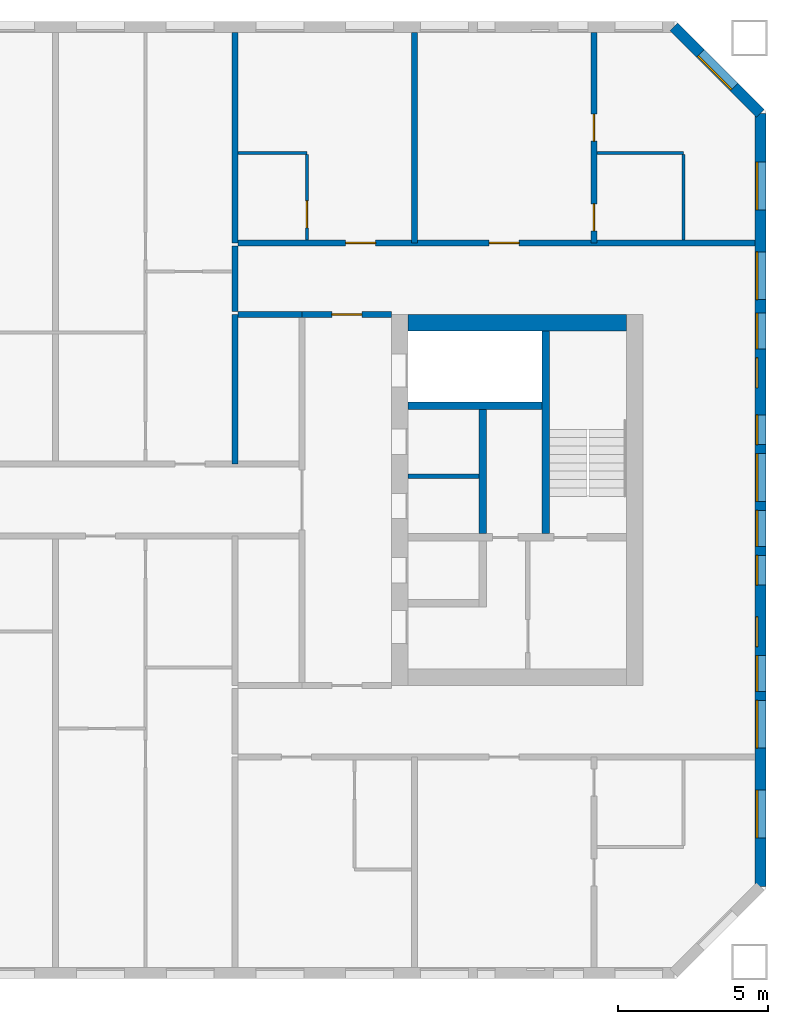
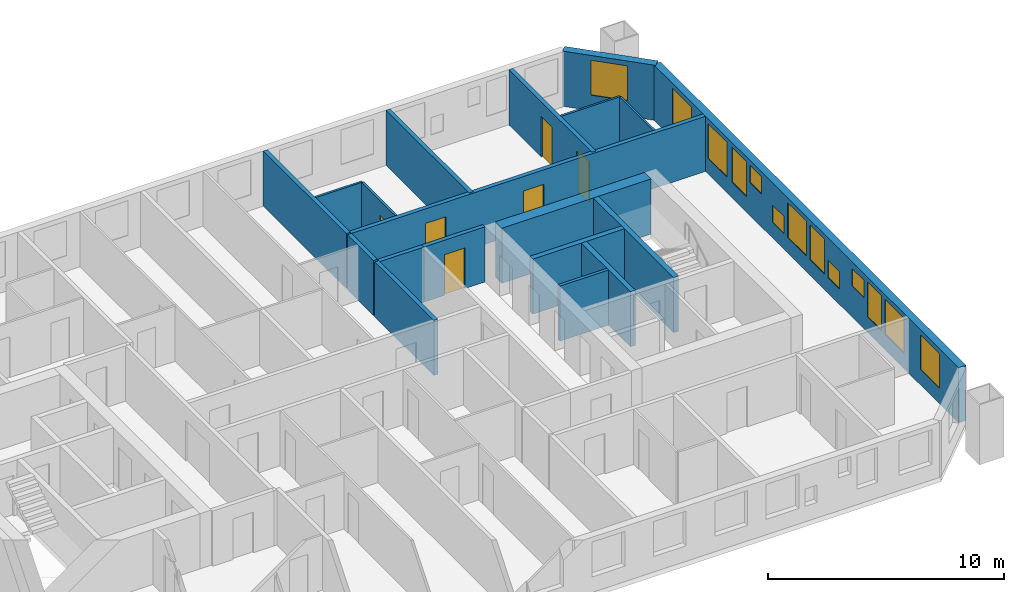
# One storey, part 14 of 17: 19 walls, 13 windows, 6 doors, 19 openings.
"""IFC4 building model written with IfcOpenShell, lengths in metres."""

from ifc_helpers import new_model, si_unit, direction, frame, frame_2d, origin, place, context, subcontext, project, spatial, rectangle, extrude, material, layer, layer_set, type_object, element, fill, save


model = new_model("IFC4")

# Units and contexts
model_context = context("Model", 3, precision=1e-05, world=origin(), true_north=direction((0.0, 1.0)))
body_context = subcontext(model_context, "Body", "Model", "MODEL_VIEW")
ifc_project = project(units=[si_unit("LENGTHUNIT", "METRE"), si_unit("AREAUNIT", "SQUARE_METRE"), si_unit("VOLUMEUNIT", "CUBIC_METRE"), si_unit("PLANEANGLEUNIT", "RADIAN"), si_unit("MASSUNIT", "GRAM", prefix="KILO")], contexts=[model_context])

# Site, building, storey
site_placement = place(None, origin())
site = spatial("IfcSite", under=ifc_project, at=site_placement, CompositionType="ELEMENT")
building_placement = place(site_placement, origin())
building = spatial("IfcBuilding", under=site, at=building_placement, Name="Tuart Gate Housing", CompositionType="ELEMENT")
storey_placement = place(building_placement, frame((0.0, 0.0, 126.800048828125)))
storey = spatial("IfcBuildingStorey", under=building, at=storey_placement, Name="L35", CompositionType="ELEMENT", Elevation=126.800048828125)

# Wall, openings, windows
ifc_material_1 = material(Name="Brick", Category="masonry")
ifc_layer_1 = layer(ifc_material_1, 0.360107421875)
ifc_layer_set_1 = layer_set([ifc_layer_1], Name="Brick pier and spandrel wall 360")
wall_type_1 = type_object("IfcWallType", Name="Brick pier and spandrel wall 360", PredefinedType="STANDARD", material=ifc_layer_set_1)
wall_1_placement = place(storey_placement, frame((172.570068359375, 57.07470703125, 0.0), z_axis=(0.0, 0.0, 1.0), x_axis=(0.0, 1.0, 0.0)))
wall_1 = element("IfcWall", 1, at=wall_1_placement, inside=storey, type_object=wall_type_1, Name="External wall B-E L35", PredefinedType="STANDARD", context=body_context, shape_type="SweptSolid", body=[
    extrude(rectangle(XDim=25.850830078125, YDim=0.360107421875, at=frame_2d((12.92529296875, 0.0))), origin(), (0.0, 0.0, 1.0), 2.849853515625),
])
opening_1_placement = place(wall_1_placement, frame((1.62548828125, 0.0, 0.800048828125)))
opening_1 = element("IfcOpeningElement", 2, at=opening_1_placement, cuts=wall_1, Name="Opening W1", PredefinedType="OPENING", context=body_context, shape_type="SweptSolid", body=[
    extrude(rectangle(XDim=1.60009765625, YDim=1.800048828125, at=frame_2d((0.800048828125, 0.89990234375))), frame((0.0, 0.18994140625, 0.0), z_axis=(0.0, -1.0, 0.0), x_axis=(1.0, 0.0, 0.0)), (0.0, 0.0, 1.0), 0.380126953125),
])
opening_2_placement = place(wall_1_placement, frame((4.62548828125, 0.0, 0.800048828125)))
opening_2 = element("IfcOpeningElement", 3, at=opening_2_placement, cuts=wall_1, Name="Opening W1", PredefinedType="OPENING", context=body_context, shape_type="SweptSolid", body=[
    extrude(rectangle(XDim=1.60009765625, YDim=1.800048828125, at=frame_2d((0.800048828125, 0.89990234375))), frame((0.0, 0.18994140625, 0.0), z_axis=(0.0, -1.0, 0.0), x_axis=(1.0, 0.0, 0.0)), (0.0, 0.0, 1.0), 0.380126953125),
])
opening_3_placement = place(wall_1_placement, frame((6.525390625, 0.0, 0.800048828125)))
opening_3 = element("IfcOpeningElement", 4, at=opening_3_placement, cuts=wall_1, Name="Opening W1B", PredefinedType="OPENING", context=body_context, shape_type="SweptSolid", body=[
    extrude(rectangle(XDim=1.199951171875, YDim=1.800048828125, at=frame_2d((0.60009765625, 0.89990234375))), frame((0.0, 0.18994140625, 0.0), z_axis=(0.0, -1.0, 0.0), x_axis=(1.0, 0.0, 0.0)), (0.0, 0.0, 1.0), 0.380126953125),
])
opening_4_placement = place(wall_1_placement, frame((8.025390625, 0.0, 1.60009765625)))
opening_4 = element("IfcOpeningElement", 5, at=opening_4_placement, cuts=wall_1, Name="Opening W1U", PredefinedType="OPENING", context=body_context, shape_type="SweptSolid", body=[
    extrude(rectangle(XDim=1.0, YDim=0.89990234375, at=frame_2d((0.5, 0.449951171875))), frame((0.0, 0.18994140625, 0.0), z_axis=(0.0, -1.0, 0.0), x_axis=(1.0, 0.0, 0.0)), (0.0, 0.0, 1.0), 0.380126953125),
])
opening_5_placement = place(wall_1_placement, frame((10.075439453125, 0.0, 0.800048828125)))
opening_5 = element("IfcOpeningElement", 6, at=opening_5_placement, cuts=wall_1, Name="Opening W1U", PredefinedType="OPENING", context=body_context, shape_type="SweptSolid", body=[
    extrude(rectangle(XDim=1.0, YDim=0.89990234375, at=frame_2d((0.5, 0.449951171875))), frame((0.0, 0.18994140625, 0.0), z_axis=(0.0, -1.0, 0.0), x_axis=(1.0, 0.0, 0.0)), (0.0, 0.0, 1.0), 0.380126953125),
])
opening_6_placement = place(wall_1_placement, frame((11.37548828125, 0.0, 0.800048828125)))
opening_6 = element("IfcOpeningElement", 7, at=opening_6_placement, cuts=wall_1, Name="Opening W1B", PredefinedType="OPENING", context=body_context, shape_type="SweptSolid", body=[
    extrude(rectangle(XDim=1.199951171875, YDim=1.800048828125, at=frame_2d((0.60009765625, 0.89990234375))), frame((0.0, 0.18994140625, 0.0), z_axis=(0.0, -1.0, 0.0), x_axis=(1.0, 0.0, 0.0)), (0.0, 0.0, 1.0), 0.380126953125),
])
opening_7_placement = place(wall_1_placement, frame((19.62548828125, 0.0, 0.800048828125)))
opening_7 = element("IfcOpeningElement", 8, at=opening_7_placement, cuts=wall_1, Name="Opening W1", PredefinedType="OPENING", context=body_context, shape_type="SweptSolid", body=[
    extrude(rectangle(XDim=1.60009765625, YDim=1.800048828125, at=frame_2d((0.800048828125, 0.89990234375))), frame((0.0, 0.18994140625, 0.0), z_axis=(0.0, -1.0, 0.0), x_axis=(1.0, 0.0, 0.0)), (0.0, 0.0, 1.0), 0.380126953125),
])
opening_8_placement = place(wall_1_placement, frame((22.62548828125, 0.0, 0.800048828125)))
opening_8 = element("IfcOpeningElement", 9, at=opening_8_placement, cuts=wall_1, Name="Opening W1", PredefinedType="OPENING", context=body_context, shape_type="SweptSolid", body=[
    extrude(rectangle(XDim=1.60009765625, YDim=1.800048828125, at=frame_2d((0.800048828125, 0.89990234375))), frame((0.0, 0.18994140625, 0.0), z_axis=(0.0, -1.0, 0.0), x_axis=(1.0, 0.0, 0.0)), (0.0, 0.0, 1.0), 0.380126953125),
])
opening_9_placement = place(wall_1_placement, frame((12.87548828125, 0.0, 0.800048828125)))
opening_9 = element("IfcOpeningElement", 10, at=opening_9_placement, cuts=wall_1, Name="Opening W1", PredefinedType="OPENING", context=body_context, shape_type="SweptSolid", body=[
    extrude(rectangle(XDim=1.60009765625, YDim=1.800048828125, at=frame_2d((0.800048828125, 0.89990234375))), frame((0.0, 0.18994140625, 0.0), z_axis=(0.0, -1.0, 0.0), x_axis=(1.0, 0.0, 0.0)), (0.0, 0.0, 1.0), 0.380126953125),
])
opening_10_placement = place(wall_1_placement, frame((14.775390625, 0.0, 0.800048828125)))
opening_10 = element("IfcOpeningElement", 11, at=opening_10_placement, cuts=wall_1, Name="Opening W1U", PredefinedType="OPENING", context=body_context, shape_type="SweptSolid", body=[
    extrude(rectangle(XDim=1.0, YDim=0.89990234375, at=frame_2d((0.5, 0.449951171875))), frame((0.0, 0.18994140625, 0.0), z_axis=(0.0, -1.0, 0.0), x_axis=(1.0, 0.0, 0.0)), (0.0, 0.0, 1.0), 0.380126953125),
])
opening_11_placement = place(wall_1_placement, frame((16.67529296875, 0.0, 1.699951171875)))
opening_11 = element("IfcOpeningElement", 12, at=opening_11_placement, cuts=wall_1, Name="Opening W1U", PredefinedType="OPENING", context=body_context, shape_type="SweptSolid", body=[
    extrude(rectangle(XDim=1.0, YDim=0.89990234375, at=frame_2d((0.5, 0.449951171875))), frame((0.0, 0.18994140625, 0.0), z_axis=(0.0, -1.0, 0.0), x_axis=(1.0, 0.0, 0.0)), (0.0, 0.0, 1.0), 0.380126953125),
])
opening_12_placement = place(wall_1_placement, frame((17.975341796875, 0.0, 0.800048828125)))
opening_12 = element("IfcOpeningElement", 13, at=opening_12_placement, cuts=wall_1, Name="Opening W1B", PredefinedType="OPENING", context=body_context, shape_type="SweptSolid", body=[
    extrude(rectangle(XDim=1.199951171875, YDim=1.800048828125, at=frame_2d((0.60009765625, 0.89990234375))), frame((0.0, 0.18994140625, 0.0), z_axis=(0.0, -1.0, 0.0), x_axis=(1.0, 0.0, 0.0)), (0.0, 0.0, 1.0), 0.380126953125),
])
ifc_material_2 = material(Name="Aluminium frame with clear glass", Category="aluminium")
window_type_1 = type_object("IfcWindowType", Name="Punched window 1000 x 900", PartitioningType="SINGLE_PANEL", PredefinedType="WINDOW", material=ifc_material_2)
window_1_placement = place(opening_4_placement, origin())
window_1 = element("IfcWindow", 14, at=window_1_placement, inside=storey, type_object=window_type_1, Name="Window W1U", OverallHeight=0.89990234375, OverallWidth=1.0, PartitioningType="SINGLE_PANEL", PredefinedType="WINDOW", context=body_context, shape_type="SweptSolid", body=[
    extrude(rectangle(XDim=1.0, YDim=0.89990234375, at=frame_2d((0.5, 0.449951171875))), frame((0.0, 0.150146484375, 0.0), z_axis=(0.0, -1.0, 0.0), x_axis=(1.0, 0.0, 0.0)), (0.0, 0.0, 1.0), 0.06005859375),
])
fill(opening_4, window_1)
window_2_placement = place(opening_5_placement, origin())
window_2 = element("IfcWindow", 15, at=window_2_placement, inside=storey, type_object=window_type_1, Name="Window W1U", OverallHeight=0.89990234375, OverallWidth=1.0, PartitioningType="SINGLE_PANEL", PredefinedType="WINDOW", context=body_context, shape_type="SweptSolid", body=[
    extrude(rectangle(XDim=1.0, YDim=0.89990234375, at=frame_2d((0.5, 0.449951171875))), frame((0.0, 0.150146484375, 0.0), z_axis=(0.0, -1.0, 0.0), x_axis=(1.0, 0.0, 0.0)), (0.0, 0.0, 1.0), 0.06005859375),
])
fill(opening_5, window_2)
window_3_placement = place(opening_10_placement, origin())
window_3 = element("IfcWindow", 16, at=window_3_placement, inside=storey, type_object=window_type_1, Name="Window W1U", OverallHeight=0.89990234375, OverallWidth=1.0, PartitioningType="SINGLE_PANEL", PredefinedType="WINDOW", context=body_context, shape_type="SweptSolid", body=[
    extrude(rectangle(XDim=1.0, YDim=0.89990234375, at=frame_2d((0.5, 0.449951171875))), frame((0.0, 0.150146484375, 0.0), z_axis=(0.0, -1.0, 0.0), x_axis=(1.0, 0.0, 0.0)), (0.0, 0.0, 1.0), 0.06005859375),
])
fill(opening_10, window_3)
window_4_placement = place(opening_11_placement, origin())
window_4 = element("IfcWindow", 17, at=window_4_placement, inside=storey, type_object=window_type_1, Name="Window W1U", OverallHeight=0.89990234375, OverallWidth=1.0, PartitioningType="SINGLE_PANEL", PredefinedType="WINDOW", context=body_context, shape_type="SweptSolid", body=[
    extrude(rectangle(XDim=1.0, YDim=0.89990234375, at=frame_2d((0.5, 0.449951171875))), frame((0.0, 0.150146484375, 0.0), z_axis=(0.0, -1.0, 0.0), x_axis=(1.0, 0.0, 0.0)), (0.0, 0.0, 1.0), 0.06005859375),
])
fill(opening_11, window_4)
ifc_material_3 = material(Name="Aluminium frame with clear glass", Category="aluminium")
window_type_2 = type_object("IfcWindowType", Name="Punched window 1200 x 1800", PartitioningType="SINGLE_PANEL", PredefinedType="WINDOW", material=ifc_material_3)
window_5_placement = place(opening_3_placement, origin())
window_5 = element("IfcWindow", 18, at=window_5_placement, inside=storey, type_object=window_type_2, Name="Window W1B", OverallHeight=1.800048828125, OverallWidth=1.199951171875, PartitioningType="SINGLE_PANEL", PredefinedType="WINDOW", context=body_context, shape_type="SweptSolid", body=[
    extrude(rectangle(XDim=1.199951171875, YDim=1.800048828125, at=frame_2d((0.60009765625, 0.89990234375))), frame((0.0, 0.150146484375, 0.0), z_axis=(0.0, -1.0, 0.0), x_axis=(1.0, 0.0, 0.0)), (0.0, 0.0, 1.0), 0.06005859375),
])
fill(opening_3, window_5)
window_6_placement = place(opening_6_placement, origin())
window_6 = element("IfcWindow", 19, at=window_6_placement, inside=storey, type_object=window_type_2, Name="Window W1B", OverallHeight=1.800048828125, OverallWidth=1.199951171875, PartitioningType="SINGLE_PANEL", PredefinedType="WINDOW", context=body_context, shape_type="SweptSolid", body=[
    extrude(rectangle(XDim=1.199951171875, YDim=1.800048828125, at=frame_2d((0.60009765625, 0.89990234375))), frame((0.0, 0.150146484375, 0.0), z_axis=(0.0, -1.0, 0.0), x_axis=(1.0, 0.0, 0.0)), (0.0, 0.0, 1.0), 0.06005859375),
])
fill(opening_6, window_6)
window_7_placement = place(opening_12_placement, origin())
window_7 = element("IfcWindow", 20, at=window_7_placement, inside=storey, type_object=window_type_2, Name="Window W1B", OverallHeight=1.800048828125, OverallWidth=1.199951171875, PartitioningType="SINGLE_PANEL", PredefinedType="WINDOW", context=body_context, shape_type="SweptSolid", body=[
    extrude(rectangle(XDim=1.199951171875, YDim=1.800048828125, at=frame_2d((0.60009765625, 0.89990234375))), frame((0.0, 0.150146484375, 0.0), z_axis=(0.0, -1.0, 0.0), x_axis=(1.0, 0.0, 0.0)), (0.0, 0.0, 1.0), 0.06005859375),
])
fill(opening_12, window_7)
ifc_material_4 = material(Name="Aluminium frame with clear glass", Category="aluminium")
window_type_3 = type_object("IfcWindowType", Name="Punched window 1600 x 1800", PartitioningType="SINGLE_PANEL", PredefinedType="WINDOW", material=ifc_material_4)
window_8_placement = place(opening_1_placement, origin())
window_8 = element("IfcWindow", 21, at=window_8_placement, inside=storey, type_object=window_type_3, Name="Window W1", OverallHeight=1.800048828125, OverallWidth=1.60009765625, PartitioningType="SINGLE_PANEL", PredefinedType="WINDOW", context=body_context, shape_type="SweptSolid", body=[
    extrude(rectangle(XDim=1.60009765625, YDim=1.800048828125, at=frame_2d((0.800048828125, 0.89990234375))), frame((0.0, 0.150146484375, 0.0), z_axis=(0.0, -1.0, 0.0), x_axis=(1.0, 0.0, 0.0)), (0.0, 0.0, 1.0), 0.06005859375),
])
fill(opening_1, window_8)
window_9_placement = place(opening_2_placement, origin())
window_9 = element("IfcWindow", 22, at=window_9_placement, inside=storey, type_object=window_type_3, Name="Window W1", OverallHeight=1.800048828125, OverallWidth=1.60009765625, PartitioningType="SINGLE_PANEL", PredefinedType="WINDOW", context=body_context, shape_type="SweptSolid", body=[
    extrude(rectangle(XDim=1.60009765625, YDim=1.800048828125, at=frame_2d((0.800048828125, 0.89990234375))), frame((0.0, 0.150146484375, 0.0), z_axis=(0.0, -1.0, 0.0), x_axis=(1.0, 0.0, 0.0)), (0.0, 0.0, 1.0), 0.06005859375),
])
fill(opening_2, window_9)
window_10_placement = place(opening_7_placement, origin())
window_10 = element("IfcWindow", 23, at=window_10_placement, inside=storey, type_object=window_type_3, Name="Window W1", OverallHeight=1.800048828125, OverallWidth=1.60009765625, PartitioningType="SINGLE_PANEL", PredefinedType="WINDOW", context=body_context, shape_type="SweptSolid", body=[
    extrude(rectangle(XDim=1.60009765625, YDim=1.800048828125, at=frame_2d((0.800048828125, 0.89990234375))), frame((0.0, 0.150146484375, 0.0), z_axis=(0.0, -1.0, 0.0), x_axis=(1.0, 0.0, 0.0)), (0.0, 0.0, 1.0), 0.06005859375),
])
fill(opening_7, window_10)
window_11_placement = place(opening_8_placement, origin())
window_11 = element("IfcWindow", 24, at=window_11_placement, inside=storey, type_object=window_type_3, Name="Window W1", OverallHeight=1.800048828125, OverallWidth=1.60009765625, PartitioningType="SINGLE_PANEL", PredefinedType="WINDOW", context=body_context, shape_type="SweptSolid", body=[
    extrude(rectangle(XDim=1.60009765625, YDim=1.800048828125, at=frame_2d((0.800048828125, 0.89990234375))), frame((0.0, 0.150146484375, 0.0), z_axis=(0.0, -1.0, 0.0), x_axis=(1.0, 0.0, 0.0)), (0.0, 0.0, 1.0), 0.06005859375),
])
fill(opening_8, window_11)
window_12_placement = place(opening_9_placement, origin())
window_12 = element("IfcWindow", 25, at=window_12_placement, inside=storey, type_object=window_type_3, Name="Window W1", OverallHeight=1.800048828125, OverallWidth=1.60009765625, PartitioningType="SINGLE_PANEL", PredefinedType="WINDOW", context=body_context, shape_type="SweptSolid", body=[
    extrude(rectangle(XDim=1.60009765625, YDim=1.800048828125, at=frame_2d((0.800048828125, 0.89990234375))), frame((0.0, 0.150146484375, 0.0), z_axis=(0.0, -1.0, 0.0), x_axis=(1.0, 0.0, 0.0)), (0.0, 0.0, 1.0), 0.06005859375),
])
fill(opening_9, window_12)

# Wall, opening, window
wall_2_placement = place(storey_placement, frame((172.570068359375, 82.92529296875, 0.0), z_axis=(0.0, 0.0, 1.0), x_axis=(-0.707106781187, 0.707106781187, 0.0)))
wall_2 = element("IfcWall", 26, at=wall_2_placement, inside=storey, type_object=wall_type_1, Name="External wall B-NE L35", PredefinedType="STANDARD", context=body_context, shape_type="SweptSolid", body=[
    extrude(rectangle(XDim=4.09375, YDim=0.360107421875, at=frame_2d((2.046875, 0.0))), origin(), (0.0, 0.0, 1.0), 2.849853515625),
])
opening_13_placement = place(wall_2_placement, frame((1.2470703125, 0.0, 0.800048828125)))
opening_13 = element("IfcOpeningElement", 27, at=opening_13_placement, cuts=wall_2, Name="Opening W1", PredefinedType="OPENING", context=body_context, shape_type="SweptSolid", body=[
    extrude(rectangle(XDim=1.60009765625, YDim=1.800048828125, at=frame_2d((0.800048828125, 0.89990234375))), frame((0.0, 0.18994140625, 0.0), z_axis=(0.0, -1.0, 0.0), x_axis=(1.0, 0.0, 0.0)), (0.0, 0.0, 1.0), 0.380126953125),
])
window_13_placement = place(opening_13_placement, origin())
window_13 = element("IfcWindow", 28, at=window_13_placement, inside=storey, type_object=window_type_3, Name="Window W1", OverallHeight=1.800048828125, OverallWidth=1.60009765625, PartitioningType="SINGLE_PANEL", PredefinedType="WINDOW", context=body_context, shape_type="SweptSolid", body=[
    extrude(rectangle(XDim=1.60009765625, YDim=1.800048828125, at=frame_2d((0.800048828125, 0.89990234375))), frame((0.0, 0.150146484375, 0.0), z_axis=(0.0, -1.0, 0.0), x_axis=(1.0, 0.0, 0.0)), (0.0, 0.0, 1.0), 0.06005859375),
])
fill(opening_13, window_13)

# Walls
ifc_material_5 = material(Name="Plasterboard partition")
ifc_layer_2 = layer(ifc_material_5, 0.14990234375)
ifc_layer_set_2 = layer_set([ifc_layer_2], Name="Core partition 150")
wall_type_2 = type_object("IfcWallType", Name="Core partition 150", PredefinedType="PARTITIONING", material=ifc_layer_set_2)
wall_3_placement = place(storey_placement, frame((160.7900390625, 70.800048828125, 0.0), z_axis=(0.0, 0.0, 1.0), x_axis=(1.0, 0.0, 0.0)))
element("IfcWall", 29, at=wall_3_placement, inside=storey, type_object=wall_type_2, Name="Core partition BK.2", PredefinedType="PARTITIONING", context=body_context, shape_type="SweptSolid", body=[
    extrude(rectangle(XDim=2.375, YDim=0.14990234375, at=frame_2d((1.1875, 0.0))), origin(), (0.0, 0.0, 1.0), 2.849853515625),
])
ifc_material_6 = material(Name="Concrete C50", Category="concrete")
ifc_layer_3 = layer(ifc_material_6, 0.25)
ifc_layer_set_3 = layer_set([ifc_layer_3], Name="Core wall 250 C50")
wall_type_3 = type_object("IfcWallType", Name="Core wall 250 C50", PredefinedType="SHEAR", material=ifc_layer_set_3)
wall_4_placement = place(storey_placement, frame((160.7900390625, 73.14990234375, 0.0), z_axis=(0.0, 0.0, 1.0), x_axis=(1.0, 0.0, 0.0)))
element("IfcWall", 30, at=wall_4_placement, inside=storey, type_object=wall_type_3, Name="Core wall BK.1", PredefinedType="SHEAR", context=body_context, shape_type="SweptSolid", body=[
    extrude(rectangle(XDim=4.474853515625, YDim=0.25, at=frame_2d((2.2373046875, 0.0))), origin(), (0.0, 0.0, 1.0), 2.849853515625),
])
wall_5_placement = place(storey_placement, frame((163.2900390625, 73.02490234375, 0.0), z_axis=(0.0, 0.0, 1.0), x_axis=(0.0, -1.0, 0.0)))
element("IfcWall", 31, at=wall_5_placement, inside=storey, type_object=wall_type_3, Name="Core wall BK.5", PredefinedType="SHEAR", context=body_context, shape_type="SweptSolid", body=[
    extrude(rectangle(XDim=4.14990234375, YDim=0.25, at=frame_2d((2.074951171875, 0.0))), origin(), (0.0, 0.0, 1.0), 2.849853515625),
])
wall_6_placement = place(storey_placement, frame((165.389892578125, 75.64990234375, 0.0), z_axis=(0.0, 0.0, 1.0), x_axis=(0.0, -1.0, 0.0)))
element("IfcWall", 32, at=wall_6_placement, inside=storey, type_object=wall_type_3, Name="Core wall BK.8", PredefinedType="SHEAR", context=body_context, shape_type="SweptSolid", body=[
    extrude(rectangle(XDim=6.77490234375, YDim=0.25, at=frame_2d((3.387451171875, 0.0))), origin(), (0.0, 0.0, 1.0), 2.849853515625),
])
ifc_material_7 = material(Name="Concrete C50", Category="concrete")
ifc_layer_4 = layer(ifc_material_7, 0.550048828125)
ifc_layer_set_4 = layer_set([ifc_layer_4], Name="Core wall 550 C50")
wall_type_4 = type_object("IfcWallType", Name="Core wall 550 C50", PredefinedType="SHEAR", material=ifc_layer_set_4)
wall_7_placement = place(storey_placement, frame((160.7900390625, 75.925048828125, 0.0), z_axis=(0.0, 0.0, 1.0), x_axis=(1.0, 0.0, 0.0)))
element("IfcWall", 33, at=wall_7_placement, inside=storey, type_object=wall_type_4, Name="Core wall BK south", PredefinedType="SHEAR", context=body_context, shape_type="SweptSolid", body=[
    extrude(rectangle(XDim=7.300048828125, YDim=0.550048828125, at=frame_2d((3.64990234375, 0.0))), origin(), (0.0, 0.0, 1.0), 2.849853515625),
])
ifc_material_8 = material(Name="Concrete masonry 15 MPa", Category="masonry")
ifc_layer_5 = layer(ifc_material_8, 0.199951171875)
ifc_layer_set_5 = layer_set([ifc_layer_5], Name="Corridor wall masonry 200")
wall_type_5 = type_object("IfcWallType", Name="Corridor wall masonry 200", PredefinedType="PARTITIONING", material=ifc_layer_set_5)
wall_8_placement = place(storey_placement, frame((155.10009765625, 76.199951171875, 0.0), z_axis=(0.0, 0.0, 1.0), x_axis=(1.0, 0.0, 0.0)))
element("IfcWall", 34, at=wall_8_placement, inside=storey, type_object=wall_type_5, Name="Corridor wall masonry 200", PredefinedType="PARTITIONING", context=body_context, shape_type="SweptSolid", body=[
    extrude(rectangle(XDim=2.139892578125, YDim=0.199951171875, at=frame_2d((1.06982421875, 0.0))), origin(), (0.0, 0.0, 1.0), 2.849853515625),
])

# Wall, openings, doors
wall_9_placement = place(storey_placement, frame((155.10009765625, 78.60009765625, 0.0), z_axis=(0.0, 0.0, 1.0), x_axis=(1.0, 0.0, 0.0)))
wall_9 = element("IfcWall", 35, at=wall_9_placement, inside=storey, type_object=wall_type_5, Name="Corridor wall masonry 200", PredefinedType="PARTITIONING", context=body_context, shape_type="SweptSolid", body=[
    extrude(rectangle(XDim=17.289794921875, YDim=0.199951171875, at=frame_2d((8.64501953125, 0.0))), origin(), (0.0, 0.0, 1.0), 2.849853515625),
])
opening_14_placement = place(wall_9_placement, frame((3.60009765625, 0.0, 0.0)))
opening_14 = element("IfcOpeningElement", 36, at=opening_14_placement, cuts=wall_9, Name="Opening D1358", PredefinedType="OPENING", context=body_context, shape_type="SweptSolid", body=[
    extrude(rectangle(XDim=1.0, YDim=2.10009765625, at=frame_2d((0.5, 1.050048828125))), frame((0.0, 0.10986328125, 0.0), z_axis=(0.0, -1.0, 0.0), x_axis=(1.0, 0.0, 0.0)), (0.0, 0.0, 1.0), 0.219970703125),
])
opening_15_placement = place(wall_9_placement, frame((8.39990234375, 0.0, 0.0)))
opening_15 = element("IfcOpeningElement", 37, at=opening_15_placement, cuts=wall_9, Name="Opening D1359", PredefinedType="OPENING", context=body_context, shape_type="SweptSolid", body=[
    extrude(rectangle(XDim=1.0, YDim=2.10009765625, at=frame_2d((0.5, 1.050048828125))), frame((0.0, 0.10986328125, 0.0), z_axis=(0.0, -1.0, 0.0), x_axis=(1.0, 0.0, 0.0)), (0.0, 0.0, 1.0), 0.219970703125),
])
ifc_material_9 = material(Name="Timber door leaf in steel frame", Category="steel")
door_type_1 = type_object("IfcDoorType", Name="Flat entrance door 1000", OperationType="SINGLE_SWING_LEFT", PredefinedType="DOOR", material=ifc_material_9)
door_1_placement = place(opening_14_placement, origin())
door_1 = element("IfcDoor", 38, at=door_1_placement, inside=storey, type_object=door_type_1, Name="Flat entrance door", OperationType="SINGLE_SWING_LEFT", OverallHeight=2.10009765625, OverallWidth=1.0, PredefinedType="DOOR", context=body_context, shape_type="SweptSolid", body=[
    extrude(rectangle(XDim=1.0, YDim=2.10009765625, at=frame_2d((0.5, 1.050048828125))), frame((0.0, 0.02490234375, 0.0), z_axis=(0.0, -1.0, 0.0), x_axis=(1.0, 0.0, 0.0)), (0.0, 0.0, 1.0), 0.050048828125),
])
fill(opening_14, door_1)
door_2_placement = place(opening_15_placement, origin())
door_2 = element("IfcDoor", 39, at=door_2_placement, inside=storey, type_object=door_type_1, Name="Flat entrance door", OperationType="SINGLE_SWING_LEFT", OverallHeight=2.10009765625, OverallWidth=1.0, PredefinedType="DOOR", context=body_context, shape_type="SweptSolid", body=[
    extrude(rectangle(XDim=1.0, YDim=2.10009765625, at=frame_2d((0.5, 1.050048828125))), frame((0.0, 0.02490234375, 0.0), z_axis=(0.0, -1.0, 0.0), x_axis=(1.0, 0.0, 0.0)), (0.0, 0.0, 1.0), 0.050048828125),
])
fill(opening_15, door_2)

# Wall
wall_10_placement = place(storey_placement, frame((155.0, 76.300048828125, 0.0), z_axis=(0.0, 0.0, 1.0), x_axis=(0.0, 1.0, 0.0)))
element("IfcWall", 40, at=wall_10_placement, inside=storey, type_object=wall_type_5, Name="Corridor wall masonry 200", PredefinedType="PARTITIONING", context=body_context, shape_type="SweptSolid", body=[
    extrude(rectangle(XDim=2.199951171875, YDim=0.199951171875, at=frame_2d((1.10009765625, 0.0))), origin(), (0.0, 0.0, 1.0), 2.849853515625),
])

# Wall, opening, door
ifc_material_10 = material(Name="Concrete masonry 15 MPa", Category="masonry")
ifc_layer_6 = layer(ifc_material_10, 0.199951171875)
ifc_layer_set_6 = layer_set([ifc_layer_6], Name="Enclosure wall masonry 200")
wall_type_6 = type_object("IfcWallType", Name="Enclosure wall masonry 200", PredefinedType="PARTITIONING", material=ifc_layer_set_6)
wall_11_placement = place(storey_placement, frame((157.239990234375, 76.199951171875, 0.0), z_axis=(0.0, 0.0, 1.0), x_axis=(1.0, 0.0, 0.0)))
wall_11 = element("IfcWall", 41, at=wall_11_placement, inside=storey, type_object=wall_type_6, Name="Enclosure wall masonry 200", PredefinedType="PARTITIONING", context=body_context, shape_type="SweptSolid", body=[
    extrude(rectangle(XDim=3.0, YDim=0.199951171875, at=frame_2d((1.5, 0.0))), origin(), (0.0, 0.0, 1.0), 2.849853515625),
])
opening_16_placement = place(wall_11_placement, frame((1.0, 0.0, 0.0)))
opening_16 = element("IfcOpeningElement", 42, at=opening_16_placement, cuts=wall_11, Name="Opening D1367", PredefinedType="OPENING", context=body_context, shape_type="SweptSolid", body=[
    extrude(rectangle(XDim=1.0, YDim=2.10009765625, at=frame_2d((0.5, 1.050048828125))), frame((0.0, 0.10986328125, 0.0), z_axis=(0.0, -1.0, 0.0), x_axis=(1.0, 0.0, 0.0)), (0.0, 0.0, 1.0), 0.219970703125),
])
ifc_material_11 = material(Name="Timber door leaf in steel frame", Category="steel")
door_type_2 = type_object("IfcDoorType", Name="Fire door 1000", OperationType="SINGLE_SWING_LEFT", PredefinedType="DOOR", material=ifc_material_11)
door_3_placement = place(opening_16_placement, origin())
door_3 = element("IfcDoor", 43, at=door_3_placement, inside=storey, type_object=door_type_2, Name="Fire door", OperationType="SINGLE_SWING_LEFT", OverallHeight=2.10009765625, OverallWidth=1.0, PredefinedType="DOOR", context=body_context, shape_type="SweptSolid", body=[
    extrude(rectangle(XDim=1.0, YDim=2.10009765625, at=frame_2d((0.5, 1.050048828125))), frame((0.0, 0.02490234375, 0.0), z_axis=(0.0, -1.0, 0.0), x_axis=(1.0, 0.0, 0.0)), (0.0, 0.0, 1.0), 0.050048828125),
])
fill(opening_16, door_3)

# Walls
ifc_material_12 = material(Name="Gypsum board on steel studs", Category="steel")
ifc_layer_7 = layer(ifc_material_12, 0.10009765625)
ifc_layer_set_7 = layer_set([ifc_layer_7], Name="Partition 100")
wall_type_7 = type_object("IfcWallType", Name="Partition 100", PredefinedType="PARTITIONING", material=ifc_layer_set_7)
wall_12_placement = place(storey_placement, frame((155.10009765625, 81.60009765625, 0.0), z_axis=(0.0, 0.0, 1.0), x_axis=(1.0, 0.0, 0.0)))
element("IfcWall", 44, at=wall_12_placement, inside=storey, type_object=wall_type_7, Name="Partition 100", PredefinedType="PARTITIONING", context=body_context, shape_type="SweptSolid", body=[
    extrude(rectangle(XDim=2.2998046875, YDim=0.10009765625, at=frame_2d((1.14990234375, 0.0))), origin(), (0.0, 0.0, 1.0), 2.849853515625),
])
wall_13_placement = place(storey_placement, frame((167.10009765625, 81.60009765625, 0.0), z_axis=(0.0, 0.0, 1.0), x_axis=(1.0, 0.0, 0.0)))
element("IfcWall", 45, at=wall_13_placement, inside=storey, type_object=wall_type_7, Name="Partition 100", PredefinedType="PARTITIONING", context=body_context, shape_type="SweptSolid", body=[
    extrude(rectangle(XDim=2.89990234375, YDim=0.10009765625, at=frame_2d((1.449951171875, 0.0))), origin(), (0.0, 0.0, 1.0), 2.849853515625),
])

# Wall, opening, door
wall_14_placement = place(storey_placement, frame((157.39990234375, 78.699951171875, 0.0), z_axis=(0.0, 0.0, 1.0), x_axis=(0.0, 1.0, 0.0)))
wall_14 = element("IfcWall", 46, at=wall_14_placement, inside=storey, type_object=wall_type_7, Name="Partition 100", PredefinedType="PARTITIONING", context=body_context, shape_type="SweptSolid", body=[
    extrude(rectangle(XDim=2.85009765625, YDim=0.10009765625, at=frame_2d((1.425048828125, 0.0))), origin(), (0.0, 0.0, 1.0), 2.849853515625),
])
opening_17_placement = place(wall_14_placement, frame((0.39990234375, 0.0, 0.0)))
opening_17 = element("IfcOpeningElement", 47, at=opening_17_placement, cuts=wall_14, Name="Opening D1355", PredefinedType="OPENING", context=body_context, shape_type="SweptSolid", body=[
    extrude(rectangle(XDim=0.89990234375, YDim=2.10009765625, at=frame_2d((0.449951171875, 1.050048828125))), frame((0.0, 0.06005859375, 0.0), z_axis=(0.0, -1.0, 0.0), x_axis=(1.0, 0.0, 0.0)), (0.0, 0.0, 1.0), 0.1201171875),
])
ifc_material_13 = material(Name="Timber door leaf in steel frame", Category="steel")
door_type_3 = type_object("IfcDoorType", Name="Bathroom door 900", OperationType="SINGLE_SWING_LEFT", PredefinedType="DOOR", material=ifc_material_13)
door_4_placement = place(opening_17_placement, origin())
door_4 = element("IfcDoor", 48, at=door_4_placement, inside=storey, type_object=door_type_3, Name="Bathroom door", OperationType="SINGLE_SWING_LEFT", OverallHeight=2.10009765625, OverallWidth=0.89990234375, PredefinedType="DOOR", context=body_context, shape_type="SweptSolid", body=[
    extrude(rectangle(XDim=0.89990234375, YDim=2.10009765625, at=frame_2d((0.449951171875, 1.050048828125))), frame((0.0, 0.02490234375, 0.0), z_axis=(0.0, -1.0, 0.0), x_axis=(1.0, 0.0, 0.0)), (0.0, 0.0, 1.0), 0.050048828125),
])
fill(opening_17, door_4)

# Walls
wall_15_placement = place(storey_placement, frame((170.0, 78.699951171875, 0.0), z_axis=(0.0, 0.0, 1.0), x_axis=(0.0, 1.0, 0.0)))
element("IfcWall", 49, at=wall_15_placement, inside=storey, type_object=wall_type_7, Name="Partition 100", PredefinedType="PARTITIONING", context=body_context, shape_type="SweptSolid", body=[
    extrude(rectangle(XDim=2.85009765625, YDim=0.10009765625, at=frame_2d((1.425048828125, 0.0))), origin(), (0.0, 0.0, 1.0), 2.849853515625),
])
ifc_material_14 = material(Name="Concrete C40", Category="concrete")
ifc_layer_8 = layer(ifc_material_14, 0.199951171875)
ifc_layer_set_8 = layer_set([ifc_layer_8], Name="Party wall concrete C40 200")
wall_type_8 = type_object("IfcWallType", Name="Party wall concrete C40 200", PredefinedType="SOLIDWALL", material=ifc_layer_set_8)
wall_16_placement = place(storey_placement, frame((155.0, 71.199951171875, 0.0), z_axis=(0.0, 0.0, 1.0), x_axis=(0.0, 1.0, 0.0)))
element("IfcWall", 50, at=wall_16_placement, inside=storey, type_object=wall_type_8, Name="Party wall concrete C40 200", PredefinedType="SOLIDWALL", context=body_context, shape_type="SweptSolid", body=[
    extrude(rectangle(XDim=5.0, YDim=0.199951171875, at=frame_2d((2.5, 0.0))), origin(), (0.0, 0.0, 1.0), 2.849853515625),
])
for number, where, z_axis, x_axis, name in (
    (51, (155.0, 78.60009765625, 0.0), (0.0, 0.0, 1.0), (0.0, 1.0, 0.0), "Party wall concrete C40 200"),
    (52, (161.0, 78.60009765625, 0.0), (0.0, 0.0, 1.0), (0.0, 1.0, 0.0), "Party wall concrete C40 200"),
):
    element("IfcWall", number, at=place(storey_placement, frame(where, z_axis=z_axis, x_axis=x_axis)), inside=storey, type_object=wall_type_8, Name=name, PredefinedType="SOLIDWALL", context=body_context, shape_type="SweptSolid", body=[
        extrude(rectangle(XDim=7.039794921875, YDim=0.199951171875, at=frame_2d((3.52001953125, 0.0))), origin(), (0.0, 0.0, 1.0), 2.849853515625),
    ])

# Wall, openings, doors
wall_17_placement = place(storey_placement, frame((167.0, 78.60009765625, 0.0), z_axis=(0.0, 0.0, 1.0), x_axis=(0.0, 1.0, 0.0)))
wall_17 = element("IfcWall", 53, at=wall_17_placement, inside=storey, type_object=wall_type_8, Name="Party wall concrete C40 200", PredefinedType="SOLIDWALL", context=body_context, shape_type="SweptSolid", body=[
    extrude(rectangle(XDim=7.039794921875, YDim=0.199951171875, at=frame_2d((3.52001953125, 0.0))), origin(), (0.0, 0.0, 1.0), 2.849853515625),
])
opening_18_placement = place(wall_17_placement, frame((3.39990234375, 0.0, 0.0)))
opening_18 = element("IfcOpeningElement", 54, at=opening_18_placement, cuts=wall_17, Name="Opening D1352", PredefinedType="OPENING", context=body_context, shape_type="SweptSolid", body=[
    extrude(rectangle(XDim=0.89990234375, YDim=2.10009765625, at=frame_2d((0.449951171875, 1.050048828125))), frame((0.0, 0.10986328125, 0.0), z_axis=(0.0, -1.0, 0.0), x_axis=(1.0, 0.0, 0.0)), (0.0, 0.0, 1.0), 0.219970703125),
])
opening_19_placement = place(wall_17_placement, frame((0.39990234375, 0.0, 0.0)))
opening_19 = element("IfcOpeningElement", 55, at=opening_19_placement, cuts=wall_17, Name="Opening D1351", PredefinedType="OPENING", context=body_context, shape_type="SweptSolid", body=[
    extrude(rectangle(XDim=0.89990234375, YDim=2.10009765625, at=frame_2d((0.449951171875, 1.050048828125))), frame((0.0, 0.10986328125, 0.0), z_axis=(0.0, -1.0, 0.0), x_axis=(1.0, 0.0, 0.0)), (0.0, 0.0, 1.0), 0.219970703125),
])
ifc_material_15 = material(Name="Timber door leaf in steel frame", Category="steel")
door_type_4 = type_object("IfcDoorType", Name="Bathroom door 900 RH", OperationType="SINGLE_SWING_RIGHT", PredefinedType="DOOR", material=ifc_material_15)
door_5_placement = place(opening_19_placement, frame((0.89990234375, 0.0, 0.0), z_axis=(0.0, 0.0, 1.0), x_axis=(-1.0, 0.0, 0.0)))
door_5 = element("IfcDoor", 56, at=door_5_placement, inside=storey, type_object=door_type_4, Name="Bathroom door", OperationType="SINGLE_SWING_RIGHT", OverallHeight=2.10009765625, OverallWidth=0.89990234375, PredefinedType="DOOR", context=body_context, shape_type="SweptSolid", body=[
    extrude(rectangle(XDim=0.89990234375, YDim=2.10009765625, at=frame_2d((0.449951171875, 1.050048828125))), frame((0.0, 0.025146484375, 0.0), z_axis=(0.0, -1.0, 0.0), x_axis=(1.0, 0.0, 0.0)), (0.0, 0.0, 1.0), 0.050048828125),
])
fill(opening_19, door_5)
ifc_material_16 = material(Name="Timber door leaf in steel frame", Category="steel")
door_type_5 = type_object("IfcDoorType", Name="Internal door 900 RH", OperationType="SINGLE_SWING_RIGHT", PredefinedType="DOOR", material=ifc_material_16)
door_6_placement = place(opening_18_placement, frame((0.89990234375, 0.0, 0.0), z_axis=(0.0, 0.0, 1.0), x_axis=(-1.0, 0.0, 0.0)))
door_6 = element("IfcDoor", 57, at=door_6_placement, inside=storey, type_object=door_type_5, Name="Internal door", OperationType="SINGLE_SWING_RIGHT", OverallHeight=2.10009765625, OverallWidth=0.89990234375, PredefinedType="DOOR", context=body_context, shape_type="SweptSolid", body=[
    extrude(rectangle(XDim=0.89990234375, YDim=2.10009765625, at=frame_2d((0.449951171875, 1.050048828125))), frame((0.0, 0.025146484375, 0.0), z_axis=(0.0, -1.0, 0.0), x_axis=(1.0, 0.0, 0.0)), (0.0, 0.0, 1.0), 0.050048828125),
])
fill(opening_18, door_6)

save(model, "model.ifc")
